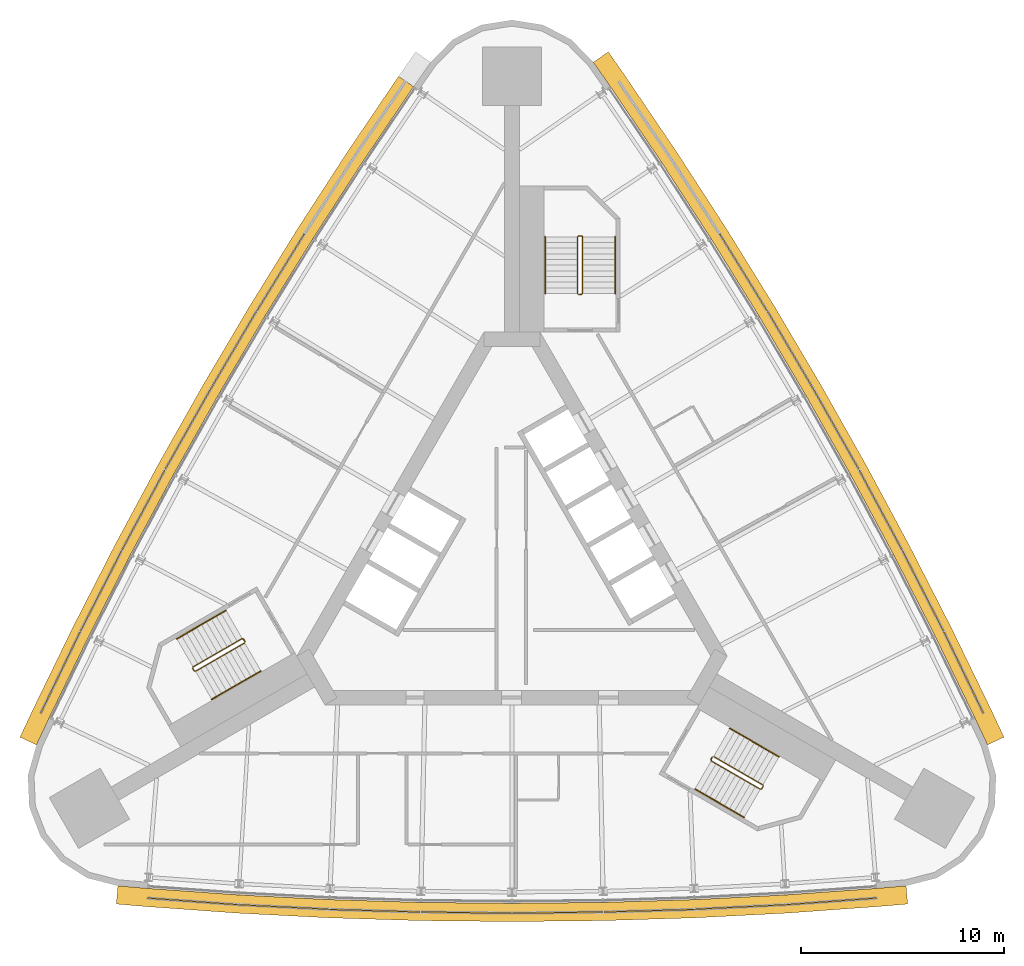
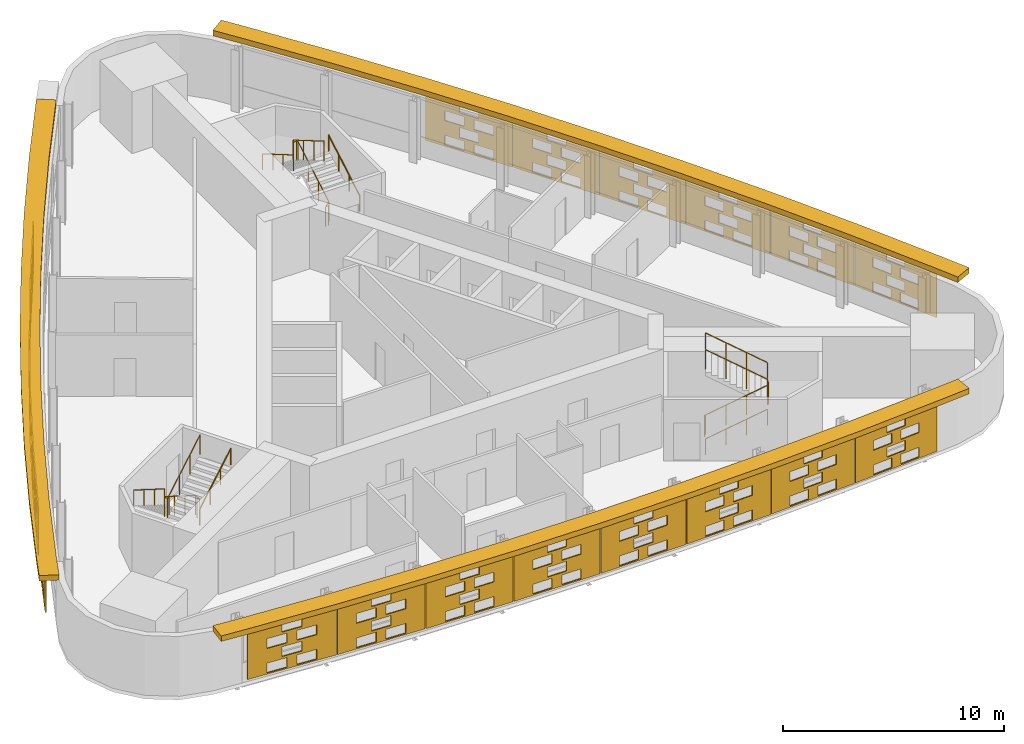
# One storey, part 12 of 13: 23 shading devices, 9 railings.
"""IFC4 building model written with IfcOpenShell, lengths in metres."""

from ifc_helpers import new_model, si_unit, direction, frame, origin, origin_2d, place, context, subcontext, project, spatial, polyline, circle, outline, extrude, material, material_profile, profile_set, type_object, element, save


model = new_model("IFC4")

# Units and contexts
model_context = context("Model", 3, precision=1e-05, world=origin(), true_north=direction((0.0, 1.0)))
body_context = subcontext(model_context, "Body", "Model", "MODEL_VIEW")
ifc_project = project(units=[si_unit("LENGTHUNIT", "METRE"), si_unit("AREAUNIT", "SQUARE_METRE"), si_unit("VOLUMEUNIT", "CUBIC_METRE"), si_unit("PLANEANGLEUNIT", "RADIAN"), si_unit("MASSUNIT", "GRAM", prefix="KILO")], contexts=[model_context])

# Site, building, storey
site_placement = place(None, origin())
site = spatial("IfcSite", under=ifc_project, at=site_placement, CompositionType="ELEMENT")
building_placement = place(site_placement, origin())
building = spatial("IfcBuilding", under=site, at=building_placement, Name="Noor Cloister Tower", CompositionType="ELEMENT")
storey_placement = place(building_placement, frame((0.0, 0.0, 143.699951171875)))
storey = spatial("IfcBuildingStorey", under=building, at=storey_placement, Name="L36", CompositionType="ELEMENT", Elevation=143.699951171875)

# Shading devices
ifc_material_1 = material(Name="Limestone", Category="masonry")
ifc_material_profile = material_profile(ifc_material_1, outline(polyline([(-2.22998046875, -1.35009765625), (2.22998046875, -1.35009765625), (2.22998046875, 1.35009765625), (-2.22998046875, 1.35009765625), (-2.22998046875, -1.35009765625)]), holes=[polyline([(-1.25, -1.282470703125), (-0.25, -1.282470703125), (-0.25, -0.742431640625), (-1.25, -0.742431640625), (-1.25, -1.282470703125)]), polyline([(0.25, -1.282470703125), (1.25, -1.282470703125), (1.25, -0.742431640625), (0.25, -0.742431640625), (0.25, -1.282470703125)]), polyline([(-0.5, -0.607421875), (0.5, -0.607421875), (0.5, -0.0673828125), (-0.5, -0.0673828125), (-0.5, -0.607421875)]), polyline([(-1.25, 0.0673828125), (-0.25, 0.0673828125), (-0.25, 0.607421875), (-1.25, 0.607421875), (-1.25, 0.0673828125)]), polyline([(0.25, 0.0673828125), (1.25, 0.0673828125), (1.25, 0.607421875), (0.25, 0.607421875), (0.25, 0.0673828125)]), polyline([(-0.5, 0.742431640625), (0.5, 0.742431640625), (0.5, 1.282470703125), (-0.5, 1.282470703125), (-0.5, 0.742431640625)])]), Name="Woven screen 30 percent open")
ifc_profile_set = profile_set([ifc_material_profile], Name="Limestone")
shading_device_type_1 = type_object("IfcShadingDeviceType", Name="SCREEN woven limestone 30 percent open", PredefinedType="USERDEFINED", material=ifc_profile_set)
for number, where, z_axis, x_axis, name in (
    (1, (-11.390625, 14.385009765625, 1.85009765625), (-0.850958576931, 0.525232805857, 0.0), (-0.525232805857, -0.850958576931, 0.0), "SCREEN L36 3"),
    (2, (-13.724609375, 10.527099609375, 1.85009765625), (-0.86141148773, 0.507907716822, 0.0), (-0.507907716822, -0.86141148773, 0.0), "SCREEN L36 4"),
    (3, (-15.97900390625, 6.622314453125, 1.85009765625), (-0.87048706901, 0.492191286683, 0.0), (-0.492191286683, -0.87048706901, 0.0), "SCREEN L36 5"),
):
    element("IfcShadingDevice", number, at=place(storey_placement, frame(where, z_axis=z_axis, x_axis=x_axis)), inside=storey, type_object=shading_device_type_1, Name=name, ObjectType="SCREEN", PredefinedType="USERDEFINED", context=body_context, shape_type="SweptSolid", body=[
        extrude(outline(polyline([(-2.22998046875, -1.35009765625), (2.22998046875, -1.35009765625), (2.22998046875, 1.35009765625), (-2.22998046875, 1.35009765625), (-2.22998046875, -1.35009765625)]), holes=[polyline([(-1.25, -1.282470703125), (-0.25, -1.282470703125), (-0.25, -0.742431640625), (-1.25, -0.742431640625), (-1.25, -1.282470703125)]), polyline([(0.25, -1.282470703125), (1.25, -1.282470703125), (1.25, -0.742431640625), (0.25, -0.742431640625), (0.25, -1.282470703125)]), polyline([(-0.5, -0.607421875), (0.5, -0.607421875), (0.5, -0.0673828125), (-0.5, -0.0673828125), (-0.5, -0.607421875)]), polyline([(-1.25, 0.0673828125), (-0.25, 0.0673828125), (-0.25, 0.607421875), (-1.25, 0.607421875), (-1.25, 0.0673828125)]), polyline([(0.25, 0.0673828125), (1.25, 0.0673828125), (1.25, 0.607421875), (0.25, 0.607421875), (0.25, 0.0673828125)]), polyline([(-0.5, 0.742431640625), (0.5, 0.742431640625), (0.5, 1.282470703125), (-0.5, 1.282470703125), (-0.5, 0.742431640625)])]), origin(), (0.0, 0.0, 1.0), 0.06005859375),
    ])
shading_device_1_placement = place(storey_placement, frame((-18.153076171875, 2.672119140625, 1.85009765625), z_axis=(-0.880994429299, 0.473126637957, 0.0), x_axis=(-0.473126637957, -0.880994429299, 0.0)))
element("IfcShadingDevice", 4, at=shading_device_1_placement, inside=storey, type_object=shading_device_type_1, Name="SCREEN L36 6", ObjectType="SCREEN", PredefinedType="USERDEFINED", context=body_context, shape_type="SweptSolid", body=[
    extrude(outline(polyline([(-2.22998046875, -1.35009765625), (2.22998046875, -1.35009765625), (2.22998046875, 1.35009765625), (-2.22998046875, 1.35009765625), (-2.22998046875, -1.35009765625)]), holes=[polyline([(-1.25, -1.282470703125), (-0.25, -1.282470703125), (-0.25, -0.742431640625), (-1.25, -0.742431640625), (-1.25, -1.282470703125)]), polyline([(0.25, -1.282470703125), (1.25, -1.282470703125), (1.25, -0.742431640625), (0.25, -0.742431640625), (0.25, -1.282470703125)]), polyline([(-0.5, -0.607421875), (0.5, -0.607421875), (0.5, -0.0673828125), (-0.5, -0.0673828125), (-0.5, -0.607421875)]), polyline([(-1.25, 0.0673828125), (-0.25, 0.0673828125), (-0.25, 0.607421875), (-1.25, 0.607421875), (-1.25, 0.0673828125)]), polyline([(0.25, 0.0673828125), (1.25, 0.0673828125), (1.25, 0.607421875), (0.25, 0.607421875), (0.25, 0.0673828125)]), polyline([(-0.5, 0.742431640625), (0.5, 0.742431640625), (0.5, 1.282470703125), (-0.5, 1.282470703125), (-0.5, 0.742431640625)])]), origin(), (0.0, 0.0, 1.0), 0.059814453125),
])
for number, where, z_axis, x_axis, name in (
    (5, (-20.245361328125, -1.322021484375, 1.85009765625), (-0.890324823337, 0.455325937049, 0.0), (-0.455325937049, -0.890324823337, 0.0), "SCREEN L36 7"),
    (6, (-22.255615234375, -5.35791015625, 1.85009765625), (-0.900056208046, 0.435773820185, 0.0), (-0.435773820185, -0.900056208046, 0.0), "SCREEN L36 8"),
    (7, (-15.767822265625, -16.594970703125, 1.85009765625), (-0.073271902152, -0.99731200151, 0.0), (0.99731200151, -0.073271902152, 0.0), "SCREEN L36 1"),
    (8, (-11.267578125, -16.8720703125, 1.85009765625), (-0.048722553713, -0.998812351125, 0.0), (0.998812351125, -0.048722553713, 0.0), "SCREEN L36 2"),
    (9, (-6.762451171875, -17.056884765625, 1.85009765625), (-0.028443771376, -0.999595394082, 0.0), (0.999595394082, -0.028443771376, 0.0), "SCREEN L36 3"),
    (10, (-2.25439453125, -17.1494140625, 1.85009765625), (-0.012194215217, -0.999925647793, 0.0), (0.999925647793, -0.012194215217, 0.0), "SCREEN L36 4"),
    (11, (2.25439453125, -17.1494140625, 1.85009765625), (0.012194215217, -0.999925647793, 0.0), (0.999925647793, 0.012194215217, 0.0), "SCREEN L36 5"),
    (12, (6.762451171875, -17.056884765625, 1.85009765625), (0.028443771376, -0.999595394082, 0.0), (0.999595394082, 0.028443771376, 0.0), "SCREEN L36 6"),
    (13, (11.267578125, -16.8720703125, 1.85009765625), (0.048722553713, -0.998812351125, 0.0), (0.998812351125, 0.048722553713, 0.0), "SCREEN L36 7"),
    (14, (15.767822265625, -16.594970703125, 1.85009765625), (0.073271902152, -0.99731200151, 0.0), (0.99731200151, 0.073271902152, 0.0), "SCREEN L36 8"),
    (15, (22.255615234375, -5.35791015625, 1.85009765625), (0.900056208046, 0.435773820185, 0.0), (-0.435773820185, 0.900056208046, 0.0), "SCREEN L36 1"),
    (16, (20.245361328125, -1.322021484375, 1.85009765625), (0.890324823337, 0.455325937049, 0.0), (-0.455325937049, 0.890324823337, 0.0), "SCREEN L36 2"),
):
    element("IfcShadingDevice", number, at=place(storey_placement, frame(where, z_axis=z_axis, x_axis=x_axis)), inside=storey, type_object=shading_device_type_1, Name=name, ObjectType="SCREEN", PredefinedType="USERDEFINED", context=body_context, shape_type="SweptSolid", body=[
        extrude(outline(polyline([(-2.22998046875, -1.35009765625), (2.22998046875, -1.35009765625), (2.22998046875, 1.35009765625), (-2.22998046875, 1.35009765625), (-2.22998046875, -1.35009765625)]), holes=[polyline([(-1.25, -1.282470703125), (-0.25, -1.282470703125), (-0.25, -0.742431640625), (-1.25, -0.742431640625), (-1.25, -1.282470703125)]), polyline([(0.25, -1.282470703125), (1.25, -1.282470703125), (1.25, -0.742431640625), (0.25, -0.742431640625), (0.25, -1.282470703125)]), polyline([(-0.5, -0.607421875), (0.5, -0.607421875), (0.5, -0.0673828125), (-0.5, -0.0673828125), (-0.5, -0.607421875)]), polyline([(-1.25, 0.0673828125), (-0.25, 0.0673828125), (-0.25, 0.607421875), (-1.25, 0.607421875), (-1.25, 0.0673828125)]), polyline([(0.25, 0.0673828125), (1.25, 0.0673828125), (1.25, 0.607421875), (0.25, 0.607421875), (0.25, 0.0673828125)]), polyline([(-0.5, 0.742431640625), (0.5, 0.742431640625), (0.5, 1.282470703125), (-0.5, 1.282470703125), (-0.5, 0.742431640625)])]), origin(), (0.0, 0.0, 1.0), 0.06005859375),
    ])
shading_device_2_placement = place(storey_placement, frame((18.153076171875, 2.672119140625, 1.85009765625), z_axis=(0.880994429299, 0.473126637957, 0.0), x_axis=(-0.473126637957, 0.880994429299, 0.0)))
element("IfcShadingDevice", 17, at=shading_device_2_placement, inside=storey, type_object=shading_device_type_1, Name="SCREEN L36 3", ObjectType="SCREEN", PredefinedType="USERDEFINED", context=body_context, shape_type="SweptSolid", body=[
    extrude(outline(polyline([(-2.22998046875, -1.35009765625), (2.22998046875, -1.35009765625), (2.22998046875, 1.35009765625), (-2.22998046875, 1.35009765625), (-2.22998046875, -1.35009765625)]), holes=[polyline([(-1.25, -1.282470703125), (-0.25, -1.282470703125), (-0.25, -0.742431640625), (-1.25, -0.742431640625), (-1.25, -1.282470703125)]), polyline([(0.25, -1.282470703125), (1.25, -1.282470703125), (1.25, -0.742431640625), (0.25, -0.742431640625), (0.25, -1.282470703125)]), polyline([(-0.5, -0.607421875), (0.5, -0.607421875), (0.5, -0.0673828125), (-0.5, -0.0673828125), (-0.5, -0.607421875)]), polyline([(-1.25, 0.0673828125), (-0.25, 0.0673828125), (-0.25, 0.607421875), (-1.25, 0.607421875), (-1.25, 0.0673828125)]), polyline([(0.25, 0.0673828125), (1.25, 0.0673828125), (1.25, 0.607421875), (0.25, 0.607421875), (0.25, 0.0673828125)]), polyline([(-0.5, 0.742431640625), (0.5, 0.742431640625), (0.5, 1.282470703125), (-0.5, 1.282470703125), (-0.5, 0.742431640625)])]), origin(), (0.0, 0.0, 1.0), 0.059814453125),
])
for number, where, z_axis, x_axis, name in (
    (18, (15.97900390625, 6.622314453125, 1.85009765625), (0.87048706901, 0.492191286683, 0.0), (-0.492191286683, 0.87048706901, 0.0), "SCREEN L36 4"),
    (19, (13.724609375, 10.527099609375, 1.85009765625), (0.86141148773, 0.507907716822, 0.0), (-0.507907716822, 0.86141148773, 0.0), "SCREEN L36 5"),
    (20, (11.390625, 14.385009765625, 1.85009765625), (0.850958576931, 0.525232805857, 0.0), (-0.525232805857, 0.850958576931, 0.0), "SCREEN L36 6"),
):
    element("IfcShadingDevice", number, at=place(storey_placement, frame(where, z_axis=z_axis, x_axis=x_axis)), inside=storey, type_object=shading_device_type_1, Name=name, ObjectType="SCREEN", PredefinedType="USERDEFINED", context=body_context, shape_type="SweptSolid", body=[
        extrude(outline(polyline([(-2.22998046875, -1.35009765625), (2.22998046875, -1.35009765625), (2.22998046875, 1.35009765625), (-2.22998046875, 1.35009765625), (-2.22998046875, -1.35009765625)]), holes=[polyline([(-1.25, -1.282470703125), (-0.25, -1.282470703125), (-0.25, -0.742431640625), (-1.25, -0.742431640625), (-1.25, -1.282470703125)]), polyline([(0.25, -1.282470703125), (1.25, -1.282470703125), (1.25, -0.742431640625), (0.25, -0.742431640625), (0.25, -1.282470703125)]), polyline([(-0.5, -0.607421875), (0.5, -0.607421875), (0.5, -0.0673828125), (-0.5, -0.0673828125), (-0.5, -0.607421875)]), polyline([(-1.25, 0.0673828125), (-0.25, 0.0673828125), (-0.25, 0.607421875), (-1.25, 0.607421875), (-1.25, 0.0673828125)]), polyline([(0.25, 0.0673828125), (1.25, 0.0673828125), (1.25, 0.607421875), (0.25, 0.607421875), (0.25, 0.0673828125)]), polyline([(-0.5, 0.742431640625), (0.5, 0.742431640625), (0.5, 1.282470703125), (-0.5, 1.282470703125), (-0.5, 0.742431640625)])]), origin(), (0.0, 0.0, 1.0), 0.06005859375),
    ])
ifc_material_2 = material(Name="Limestone", Category="masonry")
shading_device_type_2 = type_object("IfcShadingDeviceType", Name="SUNSHADE limestone band 900", PredefinedType="USERDEFINED", material=ifc_material_2)
shading_device_3_placement = place(storey_placement, frame((0.0, 0.0, 3.300048828125)))
element("IfcShadingDevice", 21, at=shading_device_3_placement, inside=storey, type_object=shading_device_type_2, Name="SUNSHADE L36 1", ObjectType="SUNSHADE", PredefinedType="USERDEFINED", context=body_context, shape_type="SweptSolid", body=[
    extrude(outline(polyline([(-5.598388671875, 24.068115234375), (-8.127197265625, 20.334716796875), (-10.583984375, 16.542724609375), (-12.96240234375, 12.700927734375), (-15.261474609375, 8.811279296875), (-17.48046875, 4.875244140625), (-19.618408203125, 0.89453125), (-21.674072265625, -3.12890625), (-23.6455078125, -7.191162109375), (-24.270751953125, -8.525390625), (-23.455810546875, -8.907470703125), (-22.833251953125, -7.57861328125), (-20.868408203125, -3.5302734375), (-18.821044921875, 0.47705078125), (-16.69189453125, 4.44140625), (-14.482177734375, 8.361328125), (-12.1923828125, 12.235107421875), (-9.823486328125, 16.06103515625), (-7.376953125, 19.837646484375), (-4.853271484375, 23.5634765625), (-5.598388671875, 24.068115234375)])), origin(), (0.0, 0.0, 1.0), 0.300048828125),
])
shading_device_4_placement = place(storey_placement, frame((0.0, 0.0, 3.300048828125)))
element("IfcShadingDevice", 22, at=shading_device_4_placement, inside=storey, type_object=shading_device_type_2, Name="SUNSHADE L36 2", ObjectType="SUNSHADE", PredefinedType="USERDEFINED", context=body_context, shape_type="SweptSolid", body=[
    extrude(outline(polyline([(-19.518798828125, -16.75634765625), (-18.050537109375, -16.882080078125), (-13.546875, -17.205810546875), (-9.034423828125, -17.437255859375), (-4.51806640625, -17.576171875), (0.0, -17.62255859375), (4.51806640625, -17.576171875), (9.034423828125, -17.437255859375), (13.546875, -17.205810546875), (18.050537109375, -16.882080078125), (19.518798828125, -16.75634765625), (19.44189453125, -15.859619140625), (17.979736328125, -15.98486328125), (13.491455078125, -16.307373046875), (8.99755859375, -16.5380859375), (4.499755859375, -16.67626953125), (0.0, -16.722412109375), (-4.499755859375, -16.67626953125), (-8.99755859375, -16.5380859375), (-13.491455078125, -16.307373046875), (-17.979736328125, -15.98486328125), (-19.44189453125, -15.859619140625), (-19.518798828125, -16.75634765625)])), origin(), (0.0, 0.0, 1.0), 0.300048828125),
])
shading_device_5_placement = place(storey_placement, frame((0.0, 0.0, 3.300048828125)))
element("IfcShadingDevice", 23, at=shading_device_5_placement, inside=storey, type_object=shading_device_type_2, Name="SUNSHADE L36 3", ObjectType="SUNSHADE", PredefinedType="USERDEFINED", context=body_context, shape_type="SweptSolid", body=[
    extrude(outline(polyline([(24.270751953125, -8.525390625), (23.6455078125, -7.191162109375), (21.674072265625, -3.12890625), (19.618408203125, 0.89453125), (17.48046875, 4.875244140625), (15.261474609375, 8.811279296875), (12.96240234375, 12.700927734375), (10.583984375, 16.542724609375), (8.127197265625, 20.334716796875), (5.594970703125, 24.0732421875), (4.752197265625, 25.281982421875), (4.013916015625, 24.76708984375), (4.853271484375, 23.5634765625), (7.376953125, 19.837646484375), (9.823486328125, 16.06103515625), (12.1923828125, 12.235107421875), (14.482177734375, 8.361328125), (16.69189453125, 4.44140625), (18.821044921875, 0.47705078125), (20.868408203125, -3.5302734375), (22.833251953125, -7.57861328125), (23.455810546875, -8.907470703125), (24.270751953125, -8.525390625)])), origin(), (0.0, 0.0, 1.0), 0.300048828125),
])

# Railings
ifc_material_3 = material(Name="Stainless steel", Category="steel")
railing_type_1 = type_object("IfcRailingType", Name="Stair guard 1100", PredefinedType="GUARDRAIL", material=ifc_material_3)
railing_1_placement = place(storey_placement, frame((3.435546875, 13.306396484375, 0.0)))
element("IfcRailing", 24, at=railing_1_placement, inside=storey, type_object=railing_type_1, Name="Stair guard ST1 L36", PredefinedType="GUARDRAIL", context=body_context, shape_type="SweptSolid", body=[
    extrude(circle(Radius=0.02392578125, at=origin_2d()), frame((0.0, 0.0, 1.076171875), z_axis=(-1.0, 0.0, 0.0), x_axis=(0.0, -1.0, 0.0)), (0.0, 0.0, 1.0), 0.14990234375),
    extrude(circle(Radius=0.02392578125, at=origin_2d()), frame((-0.14990234375, 0.0, 1.076171875), z_axis=(0.759870394187, 0.190199549216, 0.621627795), x_axis=(-0.242814311512, 0.970072785993, 0.0)), (0.0, 0.0, 1.0), 0.26318359375),
    extrude(circle(Radius=0.02392578125, at=origin_2d()), frame((0.050048828125, 0.050048828125, 1.23974609375), z_axis=(0.0, 0.863360870873, 0.504586966384), x_axis=(-1.0, 0.0, 0.0)), (0.0, 0.0, 1.0), 3.2431640625),
    extrude(circle(Radius=0.02392578125, at=origin_2d()), frame((0.050048828125, 2.85009765625, 2.8759765625), z_axis=(-0.708833529934, 0.705375805398, 0.0), x_axis=(-0.705375805398, -0.708833529934, 0.0)), (0.0, 0.0, 1.0), 0.070556640625),
    extrude(circle(Radius=0.02392578125, at=origin_2d()), frame((0.0, 2.89990234375, 2.8759765625), z_axis=(-1.0, 0.0, 0.0), x_axis=(0.0, -1.0, 0.0)), (0.0, 0.0, 1.0), 0.14990234375),
    extrude(circle(Radius=0.02392578125, at=origin_2d()), frame((-0.14990234375, 2.89990234375, 2.8759765625), z_axis=(-0.280916556609, -0.279546231943, 0.91811752648), x_axis=(0.705375805398, -0.708833529934, 0.0)), (0.0, 0.0, 1.0), 0.17822265625),
    extrude(circle(Radius=0.02392578125, at=origin_2d()), frame((-0.199951171875, 2.85009765625, 3.03955078125), z_axis=(0.0, -0.863360870873, 0.504586966384), x_axis=(1.0, 0.0, 0.0)), (0.0, 0.0, 1.0), 3.2431640625),
    extrude(circle(Radius=0.02099609375, at=origin_2d()), origin(), (0.0, 0.0, 1.0), 1.052001953125),
    extrude(circle(Radius=0.02099609375, at=origin_2d()), frame((-0.14990234375, 0.0, 0.0)), (0.0, 0.0, 1.0), 1.052001953125),
    extrude(circle(Radius=0.02099609375, at=origin_2d()), frame((0.050048828125, 0.050048828125, 0.16357421875)), (0.0, 0.0, 1.0), 1.052001953125),
    extrude(circle(Radius=0.02099609375, at=origin_2d()), frame((0.050048828125, 0.9833984375, 0.708984375)), (0.0, 0.0, 1.0), 1.052001953125),
    extrude(circle(Radius=0.02099609375, at=origin_2d()), frame((0.050048828125, 1.916748046875, 1.254638671875)), (0.0, 0.0, 1.0), 1.052001953125),
    extrude(circle(Radius=0.02099609375, at=origin_2d()), frame((0.050048828125, 2.85009765625, 1.800048828125)), (0.0, 0.0, 1.0), 1.052001953125),
    extrude(circle(Radius=0.02099609375, at=origin_2d()), frame((0.0, 2.89990234375, 1.800048828125)), (0.0, 0.0, 1.0), 1.052001953125),
    extrude(circle(Radius=0.02099609375, at=origin_2d()), frame((-0.14990234375, 2.89990234375, 1.800048828125)), (0.0, 0.0, 1.0), 1.052001953125),
    extrude(circle(Radius=0.02099609375, at=origin_2d()), frame((-0.199951171875, 2.85009765625, 1.963623046875)), (0.0, 0.0, 1.0), 1.052001953125),
    extrude(circle(Radius=0.02099609375, at=origin_2d()), frame((-0.199951171875, 1.916748046875, 2.509033203125)), (0.0, 0.0, 1.0), 1.052001953125),
    extrude(circle(Radius=0.02099609375, at=origin_2d()), frame((-0.199951171875, 0.9833984375, 3.0546875)), (0.0, 0.0, 1.0), 1.052001953125),
    extrude(circle(Radius=0.02099609375, at=origin_2d()), frame((-0.199951171875, 0.050048828125, 3.60009765625)), (0.0, 0.0, 1.0), 1.052001953125),
])
railing_2_placement = place(storey_placement, frame((-13.241455078125, -3.677734375, 0.0)))
element("IfcRailing", 25, at=railing_2_placement, inside=storey, type_object=railing_type_1, Name="Stair guard ST2 L36", PredefinedType="GUARDRAIL", context=body_context, shape_type="SweptSolid", body=[
    extrude(circle(Radius=0.02392578125, at=origin_2d()), frame((0.0, 0.0, 1.076171875), z_axis=(0.499112439033, -0.866537231285, 0.0), x_axis=(0.866537231285, 0.499112439033, 0.0)), (0.0, 0.0, 1.0), 0.150146484375),
    extrude(circle(Radius=0.02392578125, at=origin_2d()), frame((0.074951171875, -0.130126953125, 1.076171875), z_axis=(-0.544565797804, 0.563119998752, 0.621565731736), x_axis=(-0.718850276695, -0.695164929852, 0.0)), (0.0, 0.0, 1.0), 0.26318359375),
    extrude(circle(Radius=0.02392578125, at=origin_2d()), frame((-0.068359375, 0.01806640625, 1.23974609375), z_axis=(-0.747689811644, -0.431660630283, 0.504607813879), x_axis=(0.49998411664, -0.866034573852, 0.0)), (0.0, 0.0, 1.0), 3.2431640625),
    extrude(circle(Radius=0.02392578125, at=origin_2d()), frame((-2.4931640625, -1.3818359375, 2.8759765625), z_axis=(-0.258736085224, -0.965948051503, 0.0), x_axis=(0.965948051503, -0.258736085224, 0.0)), (0.0, 0.0, 1.0), 0.07080078125),
    extrude(circle(Radius=0.02392578125, at=origin_2d()), frame((-2.511474609375, -1.4501953125, 2.8759765625), z_axis=(0.499816412211, -0.866131372301, 0.0), x_axis=(0.866131372301, 0.499816412211, 0.0)), (0.0, 0.0, 1.0), 0.14990234375),
    extrude(circle(Radius=0.02392578125, at=origin_2d()), frame((-2.4365234375, -1.580078125, 2.8759765625), z_axis=(0.383552647116, -0.102737316192, 0.917786691313), x_axis=(0.258736085224, 0.965948051503, 0.0)), (0.0, 0.0, 1.0), 0.17822265625),
    extrude(circle(Radius=0.02392578125, at=origin_2d()), frame((-2.3681640625, -1.598388671875, 3.03955078125), z_axis=(0.747665513933, 0.431721881032, 0.504591415616), x_axis=(-0.500049511043, 0.865996816683, 0.0)), (0.0, 0.0, 1.0), 3.2431640625),
    extrude(circle(Radius=0.02099609375, at=origin_2d()), origin(), (0.0, 0.0, 1.0), 1.052001953125),
    extrude(circle(Radius=0.02099609375, at=origin_2d()), frame((0.074951171875, -0.130126953125, 0.0)), (0.0, 0.0, 1.0), 1.052001953125),
    extrude(circle(Radius=0.02099609375, at=origin_2d()), frame((-0.068359375, 0.01806640625, 0.16357421875)), (0.0, 0.0, 1.0), 1.052001953125),
    extrude(circle(Radius=0.02099609375, at=origin_2d()), frame((-0.876708984375, -0.448486328125, 0.708984375)), (0.0, 0.0, 1.0), 1.052001953125),
    extrude(circle(Radius=0.02099609375, at=origin_2d()), frame((-1.684814453125, -0.915283203125, 1.254638671875)), (0.0, 0.0, 1.0), 1.052001953125),
    extrude(circle(Radius=0.02099609375, at=origin_2d()), frame((-2.4931640625, -1.3818359375, 1.800048828125)), (0.0, 0.0, 1.0), 1.052001953125),
    extrude(circle(Radius=0.02099609375, at=origin_2d()), frame((-2.511474609375, -1.4501953125, 1.800048828125)), (0.0, 0.0, 1.0), 1.052001953125),
    extrude(circle(Radius=0.02099609375, at=origin_2d()), frame((-2.4365234375, -1.580078125, 1.800048828125)), (0.0, 0.0, 1.0), 1.052001953125),
    extrude(circle(Radius=0.02099609375, at=origin_2d()), frame((-2.3681640625, -1.598388671875, 1.963623046875)), (0.0, 0.0, 1.0), 1.052001953125),
    extrude(circle(Radius=0.02099609375, at=origin_2d()), frame((-1.559814453125, -1.131591796875, 2.509033203125)), (0.0, 0.0, 1.0), 1.052001953125),
    extrude(circle(Radius=0.02099609375, at=origin_2d()), frame((-0.751708984375, -0.6650390625, 3.0546875)), (0.0, 0.0, 1.0), 1.052001953125),
    extrude(circle(Radius=0.02099609375, at=origin_2d()), frame((0.056640625, -0.1982421875, 3.60009765625)), (0.0, 0.0, 1.0), 1.052001953125),
])
railing_3_placement = place(storey_placement, frame((9.805908203125, -9.628662109375, 0.0)))
element("IfcRailing", 26, at=railing_3_placement, inside=storey, type_object=railing_type_1, Name="Stair guard ST3 L36", PredefinedType="GUARDRAIL", context=body_context, shape_type="SweptSolid", body=[
    extrude(circle(Radius=0.02392578125, at=origin_2d()), frame((0.0, 0.0, 1.076171875), z_axis=(0.499112439033, 0.866537231285, 0.0), x_axis=(-0.866537231285, 0.499112439033, 0.0)), (0.0, 0.0, 1.0), 0.150146484375),
    extrude(circle(Radius=0.02392578125, at=origin_2d()), frame((0.074951171875, 0.130126953125, 1.076171875), z_axis=(-0.215214839654, -0.753251938789, 0.621525614518), x_axis=(0.961523947641, -0.274721127897, 0.0)), (0.0, 0.0, 1.0), 0.26318359375),
    extrude(circle(Radius=0.02392578125, at=origin_2d()), frame((0.018310546875, -0.068115234375, 1.23974609375), z_axis=(0.747665513933, -0.431721881032, 0.504591415616), x_axis=(0.500049511043, 0.865996816683, 0.0)), (0.0, 0.0, 1.0), 3.2431640625),
    extrude(circle(Radius=0.02392578125, at=origin_2d()), frame((2.443115234375, -1.46826171875, 2.8759765625), z_axis=(0.965948051503, 0.258736085224, 0.0), x_axis=(-0.258736085224, 0.965948051503, 0.0)), (0.0, 0.0, 1.0), 0.07080078125),
    extrude(circle(Radius=0.02392578125, at=origin_2d()), frame((2.511474609375, -1.449951171875, 2.8759765625), z_axis=(0.499816412211, 0.866131372301, 0.0), x_axis=(-0.866131372301, 0.499816412211, 0.0)), (0.0, 0.0, 1.0), 0.14990234375),
    extrude(circle(Radius=0.02392578125, at=origin_2d()), frame((2.58642578125, -1.320068359375, 2.8759765625), z_axis=(-0.102737316192, 0.383552647116, 0.917786691313), x_axis=(-0.965948051503, -0.258736085224, 0.0)), (0.0, 0.0, 1.0), 0.17822265625),
    extrude(circle(Radius=0.02392578125, at=origin_2d()), frame((2.568115234375, -1.251708984375, 3.03955078125), z_axis=(-0.747689811644, 0.431660630283, 0.504607813879), x_axis=(-0.49998411664, -0.866034573852, 0.0)), (0.0, 0.0, 1.0), 3.2431640625),
    extrude(circle(Radius=0.02099609375, at=origin_2d()), origin(), (0.0, 0.0, 1.0), 1.052001953125),
    extrude(circle(Radius=0.02099609375, at=origin_2d()), frame((0.074951171875, 0.130126953125, 0.0)), (0.0, 0.0, 1.0), 1.052001953125),
    extrude(circle(Radius=0.02099609375, at=origin_2d()), frame((0.018310546875, -0.068115234375, 0.16357421875)), (0.0, 0.0, 1.0), 1.052001953125),
    extrude(circle(Radius=0.02099609375, at=origin_2d()), frame((0.82666015625, -0.534912109375, 0.708984375)), (0.0, 0.0, 1.0), 1.052001953125),
    extrude(circle(Radius=0.02099609375, at=origin_2d()), frame((1.634765625, -1.00146484375, 1.254638671875)), (0.0, 0.0, 1.0), 1.052001953125),
    extrude(circle(Radius=0.02099609375, at=origin_2d()), frame((2.443115234375, -1.46826171875, 1.800048828125)), (0.0, 0.0, 1.0), 1.052001953125),
    extrude(circle(Radius=0.02099609375, at=origin_2d()), frame((2.511474609375, -1.449951171875, 1.800048828125)), (0.0, 0.0, 1.0), 1.052001953125),
    extrude(circle(Radius=0.02099609375, at=origin_2d()), frame((2.58642578125, -1.320068359375, 1.800048828125)), (0.0, 0.0, 1.0), 1.052001953125),
    extrude(circle(Radius=0.02099609375, at=origin_2d()), frame((2.568115234375, -1.251708984375, 1.963623046875)), (0.0, 0.0, 1.0), 1.052001953125),
    extrude(circle(Radius=0.02099609375, at=origin_2d()), frame((1.759765625, -0.78515625, 2.509033203125)), (0.0, 0.0, 1.0), 1.052001953125),
    extrude(circle(Radius=0.02099609375, at=origin_2d()), frame((0.95166015625, -0.318359375, 3.0546875)), (0.0, 0.0, 1.0), 1.052001953125),
    extrude(circle(Radius=0.02099609375, at=origin_2d()), frame((0.143310546875, 0.148193359375, 3.60009765625)), (0.0, 0.0, 1.0), 1.052001953125),
])
ifc_material_4 = material(Name="Stainless steel", Category="steel")
railing_type_2 = type_object("IfcRailingType", Name="Stair handrail 900", PredefinedType="HANDRAIL", material=ifc_material_4)
railing_4_placement = place(storey_placement, frame((5.085693359375, 13.3564453125, 0.16357421875)))
element("IfcRailing", 27, at=railing_4_placement, inside=storey, type_object=railing_type_2, Name="Stair handrail ST1 L36 1", PredefinedType="HANDRAIL", context=body_context, shape_type="SweptSolid", body=[
    extrude(circle(Radius=0.02392578125, at=origin_2d()), frame((0.0, 0.0, 0.8759765625), z_axis=(0.0, 0.863360870873, 0.504586966384), x_axis=(-1.0, 0.0, 0.0)), (0.0, 0.0, 1.0), 3.2431640625),
    extrude(circle(Radius=0.02099609375, at=origin_2d()), origin(), (0.0, 0.0, 1.0), 0.851806640625),
    extrude(circle(Radius=0.02099609375, at=origin_2d()), frame((0.0, 0.933349609375, 0.54541015625)), (0.0, 0.0, 1.0), 0.851806640625),
    extrude(circle(Radius=0.02099609375, at=origin_2d()), frame((0.0, 1.86669921875, 1.091064453125)), (0.0, 0.0, 1.0), 0.851806640625),
    extrude(circle(Radius=0.02099609375, at=origin_2d()), frame((0.0, 2.800048828125, 1.636474609375)), (0.0, 0.0, 1.0), 0.851806640625),
])
railing_5_placement = place(storey_placement, frame((1.6357421875, 16.156494140625, 1.963623046875)))
element("IfcRailing", 28, at=railing_5_placement, inside=storey, type_object=railing_type_2, Name="Stair handrail ST1 L36 2", PredefinedType="HANDRAIL", context=body_context, shape_type="SweptSolid", body=[
    extrude(circle(Radius=0.02392578125, at=origin_2d()), frame((0.0, 0.0, 0.8759765625), z_axis=(0.0, -0.863360870873, 0.504586966384), x_axis=(1.0, 0.0, 0.0)), (0.0, 0.0, 1.0), 3.2431640625),
    extrude(circle(Radius=0.02099609375, at=origin_2d()), origin(), (0.0, 0.0, 1.0), 0.851806640625),
    extrude(circle(Radius=0.02099609375, at=origin_2d()), frame((0.0, -0.933349609375, 0.54541015625)), (0.0, 0.0, 1.0), 0.851806640625),
    extrude(circle(Radius=0.02099609375, at=origin_2d()), frame((0.0, -1.86669921875, 1.091064453125)), (0.0, 0.0, 1.0), 0.851806640625),
    extrude(circle(Radius=0.02099609375, at=origin_2d()), frame((0.0, -2.800048828125, 1.636474609375)), (0.0, 0.0, 1.0), 0.851806640625),
])
railing_6_placement = place(storey_placement, frame((-14.10986328125, -2.27392578125, 0.16357421875)))
element("IfcRailing", 29, at=railing_6_placement, inside=storey, type_object=railing_type_2, Name="Stair handrail ST2 L36 1", PredefinedType="HANDRAIL", context=body_context, shape_type="SweptSolid", body=[
    extrude(circle(Radius=0.02392578125, at=origin_2d()), frame((0.0, 0.0, 0.8759765625), z_axis=(-0.747689811644, -0.431660630283, 0.504607813879), x_axis=(0.49998411664, -0.866034573852, 0.0)), (0.0, 0.0, 1.0), 3.2431640625),
    extrude(circle(Radius=0.02099609375, at=origin_2d()), origin(), (0.0, 0.0, 1.0), 0.851806640625),
    extrude(circle(Radius=0.02099609375, at=origin_2d()), frame((-0.808349609375, -0.466552734375, 0.54541015625)), (0.0, 0.0, 1.0), 0.851806640625),
    extrude(circle(Radius=0.02099609375, at=origin_2d()), frame((-1.616455078125, -0.933349609375, 1.091064453125)), (0.0, 0.0, 1.0), 0.851806640625),
    extrude(circle(Radius=0.02099609375, at=origin_2d()), frame((-2.4248046875, -1.39990234375, 1.636474609375)), (0.0, 0.0, 1.0), 0.851806640625),
])
railing_7_placement = place(storey_placement, frame((-14.8095703125, -6.66162109375, 1.963623046875)))
element("IfcRailing", 30, at=railing_7_placement, inside=storey, type_object=railing_type_2, Name="Stair handrail ST2 L36 2", PredefinedType="HANDRAIL", context=body_context, shape_type="SweptSolid", body=[
    extrude(circle(Radius=0.02392578125, at=origin_2d()), frame((0.0, 0.0, 0.8759765625), z_axis=(0.747689811644, 0.431660630283, 0.504607813879), x_axis=(-0.49998411664, 0.866034573852, 0.0)), (0.0, 0.0, 1.0), 3.2431640625),
    extrude(circle(Radius=0.02099609375, at=origin_2d()), origin(), (0.0, 0.0, 1.0), 0.851806640625),
    extrude(circle(Radius=0.02099609375, at=origin_2d()), frame((0.808349609375, 0.466552734375, 0.54541015625)), (0.0, 0.0, 1.0), 0.851806640625),
    extrude(circle(Radius=0.02099609375, at=origin_2d()), frame((1.616455078125, 0.933349609375, 1.091064453125)), (0.0, 0.0, 1.0), 0.851806640625),
    extrude(circle(Radius=0.02099609375, at=origin_2d()), frame((2.4248046875, 1.39990234375, 1.636474609375)), (0.0, 0.0, 1.0), 0.851806640625),
])
railing_8_placement = place(storey_placement, frame((9.024169921875, -11.08251953125, 0.16357421875)))
element("IfcRailing", 31, at=railing_8_placement, inside=storey, type_object=railing_type_2, Name="Stair handrail ST3 L36 1", PredefinedType="HANDRAIL", context=body_context, shape_type="SweptSolid", body=[
    extrude(circle(Radius=0.02392578125, at=origin_2d()), frame((0.0, 0.0, 0.8759765625), z_axis=(0.747689811644, -0.431660630283, 0.504607813879), x_axis=(0.49998411664, 0.866034573852, 0.0)), (0.0, 0.0, 1.0), 3.2431640625),
    extrude(circle(Radius=0.02099609375, at=origin_2d()), origin(), (0.0, 0.0, 1.0), 0.851806640625),
    extrude(circle(Radius=0.02099609375, at=origin_2d()), frame((0.808349609375, -0.466552734375, 0.54541015625)), (0.0, 0.0, 1.0), 0.851806640625),
    extrude(circle(Radius=0.02099609375, at=origin_2d()), frame((1.616455078125, -0.933349609375, 1.091064453125)), (0.0, 0.0, 1.0), 0.851806640625),
    extrude(circle(Radius=0.02099609375, at=origin_2d()), frame((2.4248046875, -1.39990234375, 1.636474609375)), (0.0, 0.0, 1.0), 0.851806640625),
])
railing_9_placement = place(storey_placement, frame((13.174072265625, -9.49462890625, 1.963623046875)))
element("IfcRailing", 32, at=railing_9_placement, inside=storey, type_object=railing_type_2, Name="Stair handrail ST3 L36 2", PredefinedType="HANDRAIL", context=body_context, shape_type="SweptSolid", body=[
    extrude(circle(Radius=0.02392578125, at=origin_2d()), frame((0.0, 0.0, 0.8759765625), z_axis=(-0.747689811644, 0.431660630283, 0.504607813879), x_axis=(-0.49998411664, -0.866034573852, 0.0)), (0.0, 0.0, 1.0), 3.2431640625),
    extrude(circle(Radius=0.02099609375, at=origin_2d()), origin(), (0.0, 0.0, 1.0), 0.851806640625),
    extrude(circle(Radius=0.02099609375, at=origin_2d()), frame((-0.808349609375, 0.466552734375, 0.54541015625)), (0.0, 0.0, 1.0), 0.851806640625),
    extrude(circle(Radius=0.02099609375, at=origin_2d()), frame((-1.616455078125, 0.933349609375, 1.091064453125)), (0.0, 0.0, 1.0), 0.851806640625),
    extrude(circle(Radius=0.02099609375, at=origin_2d()), frame((-2.4248046875, 1.39990234375, 1.636474609375)), (0.0, 0.0, 1.0), 0.851806640625),
])

save(model, "model.ifc")
